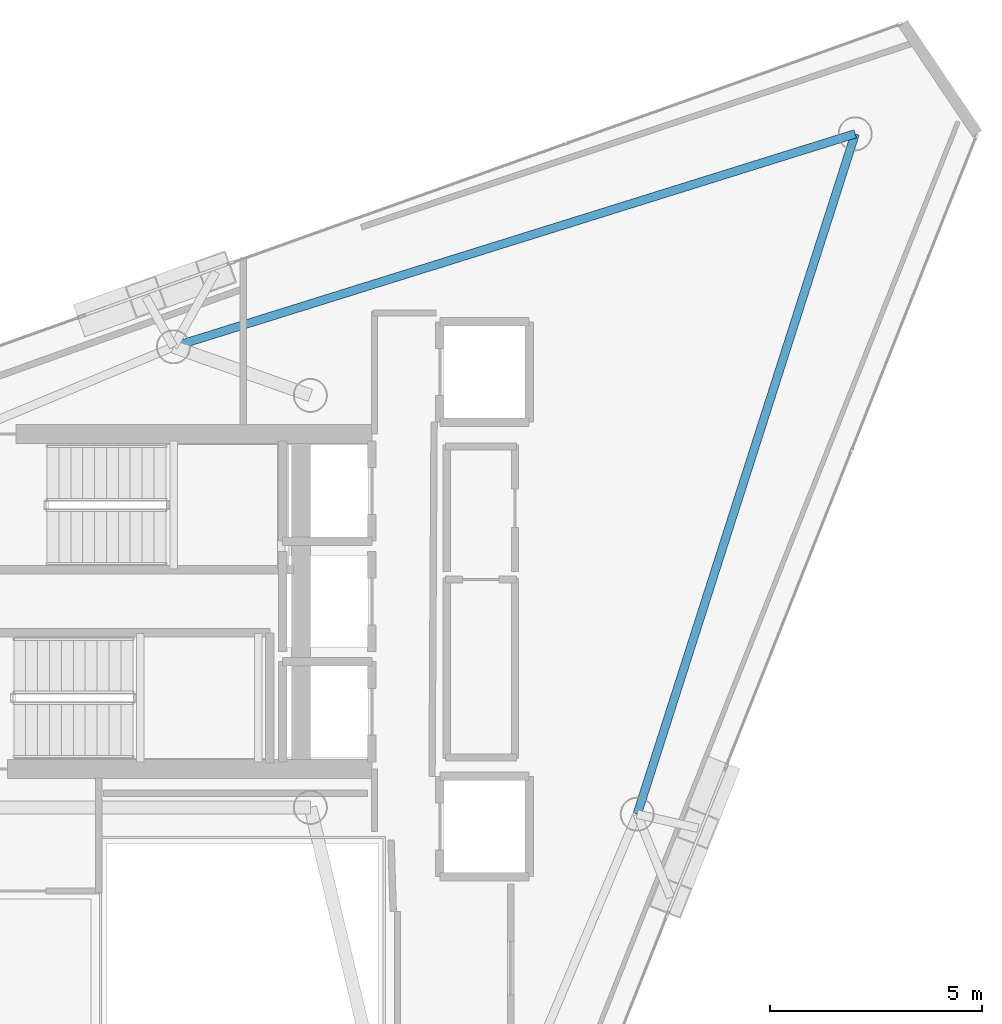
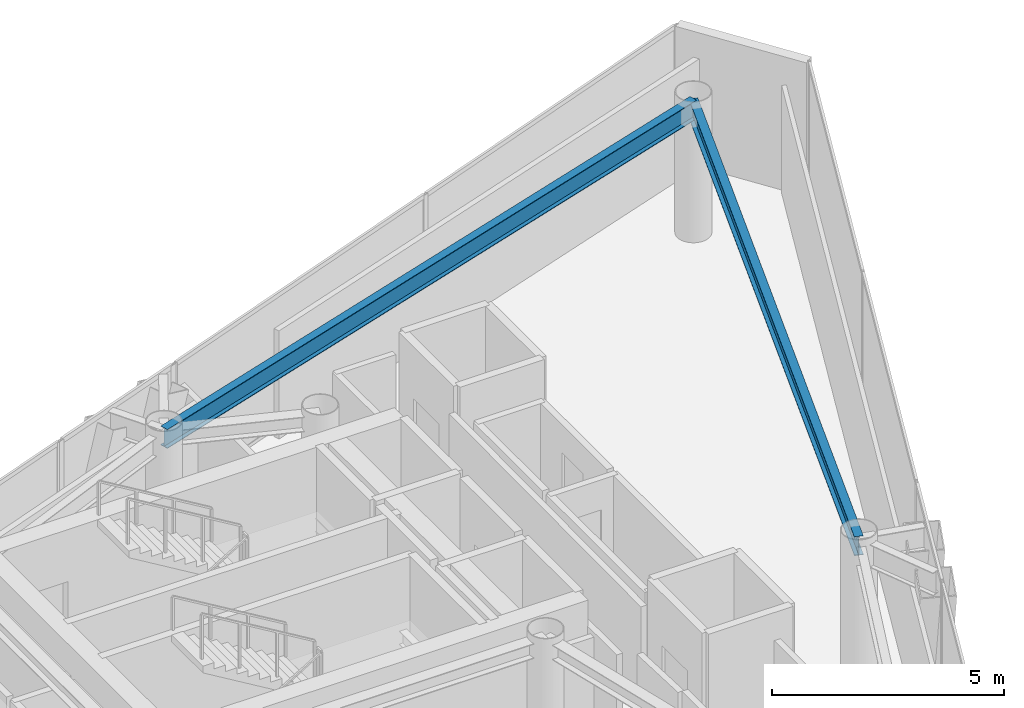
# One storey, part 13 of 18: 2 beams.
"""IFC4 building model written with IfcOpenShell, lengths in metres."""

from ifc_helpers import new_model, si_unit, direction, frame, origin, origin_2d, place, context, subcontext, project, spatial, i_section, extrude, material, material_profile, profile_set, type_object, element, save


model = new_model("IFC4")

# Units and contexts
model_context = context("Model", 3, precision=1e-05, world=origin(), true_north=direction((0.0, 1.0)))
body_context = subcontext(model_context, "Body", "Model", "MODEL_VIEW")
ifc_project = project(units=[si_unit("LENGTHUNIT", "METRE"), si_unit("AREAUNIT", "SQUARE_METRE"), si_unit("VOLUMEUNIT", "CUBIC_METRE"), si_unit("PLANEANGLEUNIT", "RADIAN"), si_unit("MASSUNIT", "GRAM", prefix="KILO")], contexts=[model_context])

# Site, building, storey
site_placement = place(None, origin())
site = spatial("IfcSite", under=ifc_project, at=site_placement, CompositionType="ELEMENT")
building_placement = place(site_placement, origin())
building = spatial("IfcBuilding", under=site, at=building_placement, Name="Qianvela Tower", CompositionType="ELEMENT")
storey_placement = place(building_placement, frame((0.0, 0.0, 337.0)))
storey = spatial("IfcBuildingStorey", under=building, at=storey_placement, Name="L87", CompositionType="ELEMENT", Elevation=337.0)

# Beams
ifc_material = material(Name="Steel Q355B", Category="steel")
ifc_material_profile = material_profile(ifc_material, i_section(OverallWidth=0.199951171875, OverallDepth=0.5, WebThickness=0.010009765625, FlangeThickness=0.01611328125, at=origin_2d()), Name="HN500x200x10x16")
ifc_profile_set = profile_set([ifc_material_profile], Name="Steel Q355B")
beam_type = type_object("IfcBeamType", Name="BM-HN500-GIRD", PredefinedType="BEAM", material=ifc_profile_set)
beam_1_placement = place(storey_placement, frame((51.22705078125, 39.7080078125, 3.26806640625), z_axis=(-0.954525695456, -0.298128657988, 0.0), x_axis=(0.298128657988, -0.954525695456, 0.0)))
element("IfcBeam", 1, at=beam_1_placement, inside=storey, type_object=beam_type, Name="L87 Perimeter Ring Spandrel Girder 1", PredefinedType="BEAM", context=body_context, shape_type="SweptSolid", body=[
    extrude(i_section(OverallWidth=0.199951171875, OverallDepth=0.5, WebThickness=0.010009765625, FlangeThickness=0.01611328125, at=origin_2d()), origin(), (0.0, 0.0, 1.0), 16.814697265625),
])
beam_2_placement = place(storey_placement, frame((46.094970703125, 23.69091796875, 3.26806640625), z_axis=(0.305132275277, 0.952309978203, 0.0), x_axis=(-0.952309978203, 0.305132275277, 0.0)))
element("IfcBeam", 2, at=beam_2_placement, inside=storey, type_object=beam_type, Name="L87 Perimeter Ring Spandrel Girder 6", PredefinedType="BEAM", context=body_context, shape_type="SweptSolid", body=[
    extrude(i_section(OverallWidth=0.199951171875, OverallDepth=0.5, WebThickness=0.010009765625, FlangeThickness=0.01611328125, at=origin_2d()), origin(), (0.0, 0.0, 1.0), 16.819091796875),
])

save(model, "model.ifc")
